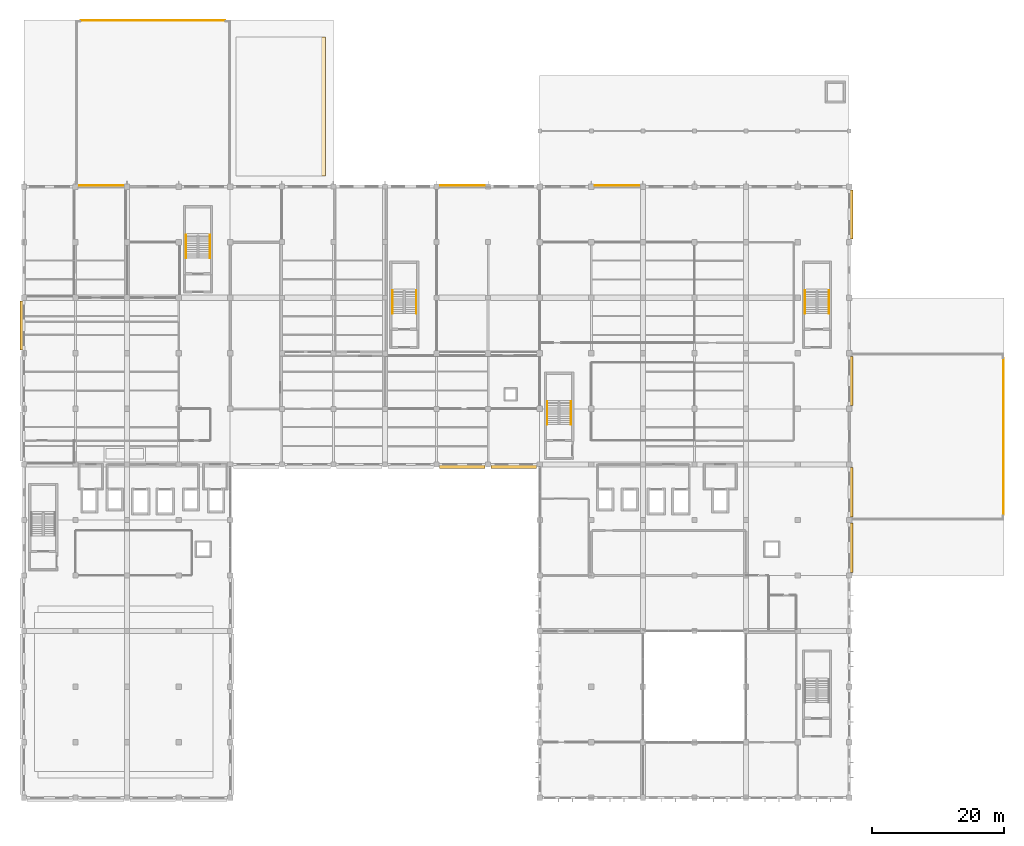
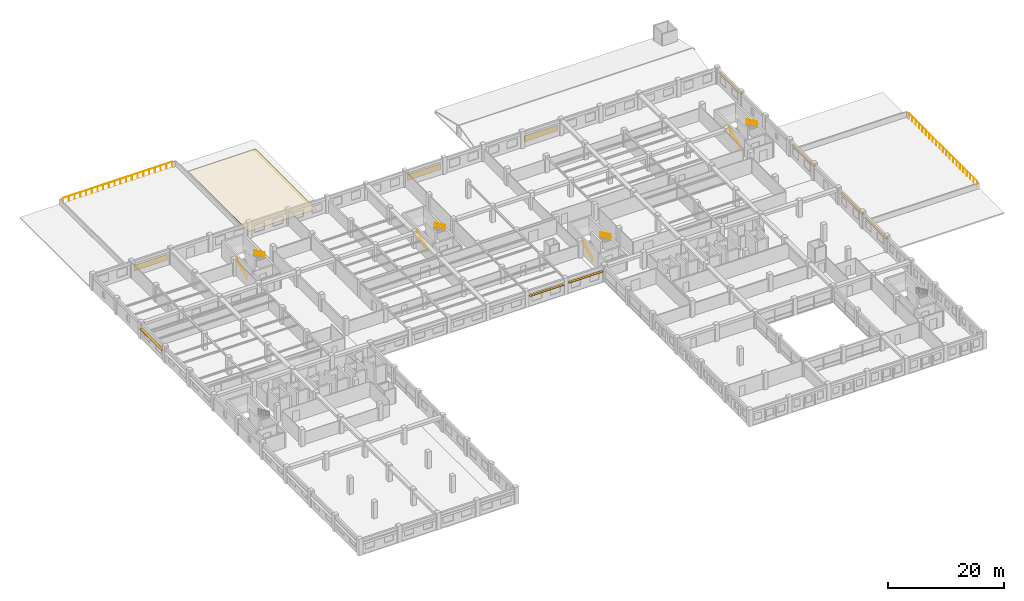
# One storey, part 50 of 50: 10 railings, 10 shading devices, 1 covering.
"""IFC4 building model written with IfcOpenShell, lengths in metres."""

import ifcopenshell
import ifcopenshell.guid

model = None  # the IFC model being written
_history = None  # IfcOwnerHistory: only IFC2X3 demands one
_inside = {}  # id of a spatial element -> (the spatial element, [elements in it])
_under = {}  # id of a project, library or spatial element -> (it, [spatial elements below it])
_declared = {}  # id of a project -> (the project, [libraries it declares])
_typed = {}  # id of a type object -> (the type object, [elements of that type])
_made_of = {}  # id of a material, layer set ... -> (it, [elements and type objects made of it])


def new_model(schema):
    """Start an empty IFC model of exactly this schema.

    Asked for "IFC4X3", IfcOpenShell would pick the latest addendum, in which some entities
    have other attributes; the version numbers below select the first issue.
    IFC2X3 requires an IfcOwnerHistory on every rooted entity: one is made here for all.
    """
    global model, _history
    if schema == "IFC4X3":
        model = ifcopenshell.file(schema_version=(4, 3, 0, 0))
    else:
        model = ifcopenshell.file(schema=schema)
    _inside.clear()
    _under.clear()
    _declared.clear()
    _typed.clear()
    _made_of.clear()
    _history = None
    if model.schema == "IFC2X3":
        org = make("IfcOrganization", Name="unknown")
        user = make(
            "IfcPersonAndOrganization",
            ThePerson=make("IfcPerson", FamilyName="unknown"),
            TheOrganization=org,
        )
        app = make(
            "IfcApplication",
            ApplicationDeveloper=org,
            Version="unknown",
            ApplicationFullName="unknown",
            ApplicationIdentifier="unknown",
        )
        _history = make(
            "IfcOwnerHistory",
            OwningUser=user,
            OwningApplication=app,
            ChangeAction="ADDED",
            CreationDate=0,
        )
    return model


def make(cls, **values):
    """One entity of the class cls with the attributes given. An attribute that is None is left unset."""
    return model.create_entity(
        cls, **{name: value for name, value in values.items() if value is not None}
    )


def rooted(cls, **values):
    """An entity with a GlobalId (a new one), such as an element, a storey or a relation."""
    return make(cls, GlobalId=ifcopenshell.guid.new(), OwnerHistory=_history, **values)


def si_unit(unit_type, name, prefix=None):
    """IfcSIUnit, for example si_unit("LENGTHUNIT", "METRE", prefix="MILLI")."""
    return make("IfcSIUnit", UnitType=unit_type, Prefix=prefix, Name=name)


def assignment(units):
    """IfcUnitAssignment: the units of a project."""
    return None if units is None else make("IfcUnitAssignment", Units=units)


def point(xyz):
    """IfcCartesianPoint."""
    return None if xyz is None else make("IfcCartesianPoint", Coordinates=xyz)


def direction(xyz):
    """IfcDirection."""
    return None if xyz is None else make("IfcDirection", DirectionRatios=xyz)


def frame(location, z_axis=None, x_axis=None):
    """IfcAxis2Placement3D, a coordinate frame: its origin and axes. An axis left out is left unset."""
    return make(
        "IfcAxis2Placement3D",
        Location=point(location),
        Axis=direction(z_axis),
        RefDirection=direction(x_axis),
    )


def frame_2d(location, x_axis=None):
    """IfcAxis2Placement2D, a coordinate frame in the plane: its origin and x axis."""
    return make(
        "IfcAxis2Placement2D", Location=point(location), RefDirection=direction(x_axis)
    )


def origin():
    """The frame at (0, 0, 0) with its axes left unset."""
    return frame((0.0, 0.0, 0.0))


def origin_2d():
    """The frame at (0, 0) in the plane with its x axis left unset."""
    return frame_2d((0.0, 0.0))


def place(relative_to, where):
    """IfcLocalPlacement: puts the frame where relative to a parent placement (None: the world)."""
    return make(
        "IfcLocalPlacement", PlacementRelTo=relative_to, RelativePlacement=where
    )


def context(
    kind, dimensions, precision=None, world=None, true_north=None, identifier=None
):
    """IfcGeometricRepresentationContext, for example the 3D "Model" context."""
    return make(
        "IfcGeometricRepresentationContext",
        ContextIdentifier=identifier,
        ContextType=kind,
        CoordinateSpaceDimension=dimensions,
        Precision=precision,
        WorldCoordinateSystem=world,
        TrueNorth=true_north,
    )


def subcontext(parent, identifier, kind, view, scale=None):
    """IfcGeometricRepresentationSubContext, for example "Body" below "Model"."""
    return make(
        "IfcGeometricRepresentationSubContext",
        ContextIdentifier=identifier,
        ContextType=kind,
        ParentContext=parent,
        TargetScale=scale,
        TargetView=view,
    )


def project(units=None, contexts=None):
    """IfcProject with its units and contexts."""
    return rooted(
        "IfcProject",
        Name="project",
        RepresentationContexts=contexts,
        UnitsInContext=assignment(units),
    )


def spatial(cls, under=None, at=None, **own):
    """A site, building, storey or space (cls), placed at a placement, below another one or the project."""
    s = rooted(cls, ObjectPlacement=at, **own)
    if under is not None:
        _under.setdefault(under.id(), (under, []))[1].append(s)
    return s


def polyline(points):
    """IfcPolyline through the points."""
    return make("IfcPolyline", Points=[point(p) for p in points])


def profile(cls, at=None, kind="AREA", **sizes):
    """A parametric profile (cls). Its sizes go by their IFC names, for example OverallWidth=200.0."""
    return make(cls, ProfileType=kind, Position=at, **sizes)


def rectangle(**sizes):
    """IfcRectangleProfileDef."""
    return profile("IfcRectangleProfileDef", **sizes)


def circle(**sizes):
    """IfcCircleProfileDef."""
    return profile("IfcCircleProfileDef", **sizes)


def outline(outer, holes=None, kind="AREA"):
    """IfcArbitraryClosedProfileDef: a profile drawn as a closed curve; with holes, ...WithVoids."""
    if holes is None:
        return make("IfcArbitraryClosedProfileDef", ProfileType=kind, OuterCurve=outer)
    return make(
        "IfcArbitraryProfileDefWithVoids",
        ProfileType=kind,
        OuterCurve=outer,
        InnerCurves=holes,
    )


def extrude(swept, where, along, depth):
    """IfcExtrudedAreaSolid: the profile swept, set in the frame where, extruded along a direction by depth."""
    return make(
        "IfcExtrudedAreaSolid",
        SweptArea=swept,
        Position=where,
        ExtrudedDirection=direction(along),
        Depth=depth,
    )


def shape(context_of_items, identifier, shape_type, items):
    """IfcShapeRepresentation: the items that make up one representation, for example the "Body"."""
    return make(
        "IfcShapeRepresentation",
        ContextOfItems=context_of_items,
        RepresentationIdentifier=identifier,
        RepresentationType=shape_type,
        Items=items,
    )


def material(Name=None, Category=None):
    """IfcMaterial."""
    return make("IfcMaterial", Name=Name, Category=Category)


def layer(
    of_material, thickness, ventilated=None, Name=None, Category=None, Priority=None
):
    """IfcMaterialLayer: one layer of a wall or slab, of a material (None: an air gap)."""
    return make(
        "IfcMaterialLayer",
        Material=of_material,
        LayerThickness=thickness,
        IsVentilated=ventilated,
        Name=Name,
        Category=Category,
        Priority=Priority,
    )


def layer_set(layers, Name=None):
    """IfcMaterialLayerSet."""
    return make("IfcMaterialLayerSet", MaterialLayers=layers, LayerSetName=Name)


def made_of(thing, what):
    """Note that an element or type object is made of a material, layer set ...; save() writes the relation."""
    if what is not None:
        _made_of.setdefault(what.id(), (what, []))[1].append(thing)
    return thing


def type_object(cls, material=None, **own):
    """A type object (cls), such as IfcWallType, which elements share."""
    return made_of(rooted(cls, **own), material)


def element(
    cls,
    number,
    at=None,
    inside=None,
    cuts=None,
    type_object=None,
    material=None,
    context=None,
    identifier="Body",
    shape_type=None,
    held_by="IfcProductDefinitionShape",
    body=None,
    shapes=None,
    **own,
):
    """One element of the class cls, such as IfcWall. Its Tag is "e" and its number.

    at: its placement. inside: the storey or other place that contains it. cuts: it is an
    opening in that element (IfcRelVoidsElement). A single representation is given by context,
    identifier, shape_type and body (its items); several are given by shapes. held_by: the class
    of the entity that holds the representations. save() writes the other relations.
    """
    e = rooted(cls, Tag="e%d" % number, ObjectPlacement=at, **own)
    if body is not None:
        shapes = [shape(context, identifier, shape_type, body)]
    if shapes is not None:
        e.Representation = make(held_by, Representations=shapes)
    if inside is not None:
        _inside.setdefault(inside.id(), (inside, []))[1].append(e)
    if cuts is not None:
        rooted(
            "IfcRelVoidsElement", RelatingBuildingElement=cuts, RelatedOpeningElement=e
        )
    if type_object is not None:
        _typed.setdefault(type_object.id(), (type_object, []))[1].append(e)
    return made_of(e, material)


def aggregate(whole, parts):
    """IfcRelAggregates: a whole, such as a stair, and the parts it consists of."""
    return rooted("IfcRelAggregates", RelatingObject=whole, RelatedObjects=parts)


def save(model, path):
    """Write the relations noted so far, then the file.

    IfcRelAggregates (storeys below a building ...), IfcRelContainedInSpatialStructure (elements
    in a storey), IfcRelDefinesByType, IfcRelAssociatesMaterial and IfcRelDeclares: one each for
    every whole, place, type object, material and project.
    """
    for whole, parts in _under.values():
        aggregate(whole, parts)
    for where, things in _inside.values():
        rooted(
            "IfcRelContainedInSpatialStructure",
            RelatedElements=things,
            RelatingStructure=where,
        )
    for kind, things in _typed.values():
        rooted("IfcRelDefinesByType", RelatedObjects=things, RelatingType=kind)
    for what, things in _made_of.values():
        rooted("IfcRelAssociatesMaterial", RelatedObjects=things, RelatingMaterial=what)
    for by, libraries in _declared.values():
        rooted("IfcRelDeclares", RelatingContext=by, RelatedDefinitions=libraries)
    model.write(path)


model = new_model("IFC4")

# Units and contexts
model_context = context("Model", 3, precision=1e-05, world=origin(), true_north=direction((0.0, 1.0)))
body_context = subcontext(model_context, "Body", "Model", "MODEL_VIEW")
ifc_project = project(units=[si_unit("LENGTHUNIT", "METRE"), si_unit("AREAUNIT", "SQUARE_METRE"), si_unit("VOLUMEUNIT", "CUBIC_METRE"), si_unit("PLANEANGLEUNIT", "RADIAN"), si_unit("MASSUNIT", "GRAM", prefix="KILO"), si_unit("THERMODYNAMICTEMPERATUREUNIT", "KELVIN"), si_unit("POWERUNIT", "WATT")], contexts=[model_context])

# Site, building, storey
site_placement = place(None, origin())
site = spatial("IfcSite", under=ifc_project, at=site_placement, CompositionType="ELEMENT")
building_placement = place(site_placement, origin())
building = spatial("IfcBuilding", under=site, at=building_placement, Name="Srebrne Nadtorze General Hospital", CompositionType="ELEMENT")
storey_placement = place(building_placement, frame((0.0, 0.0, 14.39990234375)))
storey = spatial("IfcBuildingStorey", under=building, at=storey_placement, Name="L03", CompositionType="ELEMENT", Elevation=14.39990234375)

# Shading devices
ifc_material_1 = material(Name="Anodised Aluminium", Category="aluminium")
ifc_layer_1 = layer(ifc_material_1, 0.080078125)
ifc_layer_set_1 = layer_set([ifc_layer_1], Name="Anodised Aluminium")
shading_device_type = type_object("IfcShadingDeviceType", Name="Hisashi horizontal aluminium sunshade", PredefinedType="JALOUSIE", material=ifc_layer_set_1)
shading_device_1_placement = place(storey_placement, frame((89.699951171875, 50.0400390625, 2.27001953125), z_axis=(0.0, 0.0, 1.0), x_axis=(1.0, 0.0, 0.0)))
element("IfcShadingDevice", 1, at=shading_device_1_placement, inside=storey, type_object=shading_device_type, Name="Hisashi horizontal sunshade eave LV-212", PredefinedType="JALOUSIE", context=body_context, shape_type="SweptSolid", body=[
    extrude(rectangle(XDim=6.889892578125, YDim=0.47998046875, at=origin_2d()), origin(), (0.0, 0.0, 1.0), 0.080078125),
])
shading_device_2_placement = place(storey_placement, frame((97.487548828125, 50.0400390625, 2.3701171875), z_axis=(0.0, 0.0, 1.0), x_axis=(1.0, 0.0, 0.0)))
element("IfcShadingDevice", 2, at=shading_device_2_placement, inside=storey, type_object=shading_device_type, Name="Hisashi horizontal sunshade eave LV-213", PredefinedType="JALOUSIE", context=body_context, shape_type="SweptSolid", body=[
    extrude(rectangle(XDim=6.864990234375, YDim=0.47998046875, at=origin_2d()), origin(), (0.0, 0.0, 1.0), 0.080078125),
])
shading_device_3_placement = place(storey_placement, frame((35.10009765625, 92.56005859375, 0.87109375), z_axis=(0.0, 0.0, 1.0), x_axis=(1.0, 0.0, 0.0)))
element("IfcShadingDevice", 3, at=shading_device_3_placement, inside=storey, type_object=shading_device_type, Name="Interstitial acoustic louvre LV-214", PredefinedType="JALOUSIE", context=body_context, shape_type="SweptSolid", body=[
    extrude(rectangle(XDim=6.699951171875, YDim=0.080078125, at=origin_2d()), origin(), (0.0, 0.0, 1.0), 1.25),
])
shading_device_4_placement = place(storey_placement, frame((89.699951171875, 92.570068359375, 0.87109375), z_axis=(0.0, 0.0, 1.0), x_axis=(1.0, 0.0, 0.0)))
element("IfcShadingDevice", 4, at=shading_device_4_placement, inside=storey, type_object=shading_device_type, Name="Interstitial acoustic louvre LV-215", PredefinedType="JALOUSIE", context=body_context, shape_type="SweptSolid", body=[
    extrude(rectangle(XDim=6.75, YDim=0.080078125, at=origin_2d()), origin(), (0.0, 0.0, 1.0), 1.25),
])
shading_device_5_placement = place(storey_placement, frame((113.10009765625, 92.56005859375, 0.87109375), z_axis=(0.0, 0.0, 1.0), x_axis=(1.0, 0.0, 0.0)))
element("IfcShadingDevice", 5, at=shading_device_5_placement, inside=storey, type_object=shading_device_type, Name="Interstitial acoustic louvre LV-216", PredefinedType="JALOUSIE", context=body_context, shape_type="SweptSolid", body=[
    extrude(rectangle(XDim=6.699951171875, YDim=0.080078125, at=origin_2d()), origin(), (0.0, 0.0, 1.0), 1.25),
])
for number, where, z_axis, x_axis, name in (
    (6, (23.050048828125, 71.39990234375, 2.27001953125), (0.0, 0.0, 1.0), (1.0, 0.0, 0.0), "Hisashi horizontal sunshade eave LV-223"),
    (7, (148.550048828125, 37.800048828125, 2.27001953125), (0.0, 0.0, 1.0), (1.0, 0.0, 0.0), "Hisashi horizontal sunshade eave LV-244"),
    (8, (148.550048828125, 46.199951171875, 2.3701171875), (0.0, 0.0, 1.0), (1.0, 0.0, 0.0), "Hisashi horizontal sunshade eave LV-245"),
    (9, (148.550048828125, 63.0, 2.3701171875), (0.0, 0.0, 1.0), (1.0, 0.0, 0.0), "Hisashi horizontal sunshade eave LV-246"),
    (10, (148.550048828125, 88.199951171875, 2.27001953125), (0.0, 0.0, 1.0), (1.0, 0.0, 0.0), "Hisashi horizontal sunshade eave LV-247"),
):
    element("IfcShadingDevice", number, at=place(storey_placement, frame(where, z_axis=z_axis, x_axis=x_axis)), inside=storey, type_object=shading_device_type, Name=name, PredefinedType="JALOUSIE", context=body_context, shape_type="SweptSolid", body=[
        extrude(rectangle(XDim=0.47998046875, YDim=7.43994140625, at=origin_2d()), origin(), (0.0, 0.0, 1.0), 0.080078125),
    ])

# Covering
ifc_material_2 = material(Name="EPDM Waterproofing Membrane")
ifc_layer_2 = layer(ifc_material_2, 0.011962890625)
ifc_layer_set_2 = layer_set([ifc_layer_2], Name="EPDM Waterproofing Membrane")
covering_type = type_object("IfcCoveringType", Name="Inverted EPDM waterproof roof membrane", PredefinedType="ROOFING", material=ifc_layer_set_2)
covering_placement = place(storey_placement, origin())
element("IfcCovering", 11, at=covering_placement, inside=storey, type_object=covering_type, Name="Roof membrane covering CV-ROOF-NW-1", PredefinedType="ROOFING", context=body_context, shape_type="SweptSolid", body=[
    extrude(outline(polyline([(55.5, 94.0), (69.0, 94.0), (69.0, 115.0), (55.5, 115.0), (55.5, 94.0)])), origin(), (0.0, 0.0, 1.0), 0.01220703125),
])

# Railings
ifc_material_3 = material(Name="Stainless Steel 316", Category="steel")
railing_type_1 = type_object("IfcRailingType", Name="Perimeter safety guard 1120", PredefinedType="BALUSTRADE", material=ifc_material_3)
railing_1_placement = place(storey_placement, frame((32.0, 117.5400390625, 0.0)))
element("IfcRailing", 12, at=railing_1_placement, inside=storey, type_object=railing_type_1, Name="Terrace safety guard GR-L03-001", PredefinedType="BALUSTRADE", context=body_context, shape_type="SweptSolid", body=[
    extrude(circle(Radius=0.02392578125, at=origin_2d()), frame((0.0, 0.0, 1.09619140625), z_axis=(1.0, 0.0, 0.0), x_axis=(0.0, 1.0, 0.0)), (0.0, 0.0, 1.0), 21.800048828125),
    extrude(circle(Radius=0.02099609375, at=origin_2d()), origin(), (0.0, 0.0, 1.0), 1.072021484375),
    extrude(circle(Radius=0.02099609375, at=origin_2d()), frame((1.1474609375, 0.0, 0.0)), (0.0, 0.0, 1.0), 1.072021484375),
    extrude(circle(Radius=0.02099609375, at=origin_2d()), frame((2.294677734375, 0.0, 0.0)), (0.0, 0.0, 1.0), 1.072021484375),
    extrude(circle(Radius=0.02099609375, at=origin_2d()), frame((3.442138671875, 0.0, 0.0)), (0.0, 0.0, 1.0), 1.072021484375),
    extrude(circle(Radius=0.02099609375, at=origin_2d()), frame((4.589599609375, 0.0, 0.0)), (0.0, 0.0, 1.0), 1.072021484375),
    extrude(circle(Radius=0.02099609375, at=origin_2d()), frame((5.73681640625, 0.0, 0.0)), (0.0, 0.0, 1.0), 1.072021484375),
    extrude(circle(Radius=0.02099609375, at=origin_2d()), frame((6.88427734375, 0.0, 0.0)), (0.0, 0.0, 1.0), 1.072021484375),
    extrude(circle(Radius=0.02099609375, at=origin_2d()), frame((8.031494140625, 0.0, 0.0)), (0.0, 0.0, 1.0), 1.072021484375),
    extrude(circle(Radius=0.02099609375, at=origin_2d()), frame((9.178955078125, 0.0, 0.0)), (0.0, 0.0, 1.0), 1.072021484375),
    extrude(circle(Radius=0.02099609375, at=origin_2d()), frame((10.326416015625, 0.0, 0.0)), (0.0, 0.0, 1.0), 1.072021484375),
    extrude(circle(Radius=0.02099609375, at=origin_2d()), frame((11.4736328125, 0.0, 0.0)), (0.0, 0.0, 1.0), 1.072021484375),
    extrude(circle(Radius=0.02099609375, at=origin_2d()), frame((12.62109375, 0.0, 0.0)), (0.0, 0.0, 1.0), 1.072021484375),
    extrude(circle(Radius=0.02099609375, at=origin_2d()), frame((13.7685546875, 0.0, 0.0)), (0.0, 0.0, 1.0), 1.072021484375),
    extrude(circle(Radius=0.02099609375, at=origin_2d()), frame((14.915771484375, 0.0, 0.0)), (0.0, 0.0, 1.0), 1.072021484375),
    extrude(circle(Radius=0.02099609375, at=origin_2d()), frame((16.063232421875, 0.0, 0.0)), (0.0, 0.0, 1.0), 1.072021484375),
    extrude(circle(Radius=0.02099609375, at=origin_2d()), frame((17.21044921875, 0.0, 0.0)), (0.0, 0.0, 1.0), 1.072021484375),
    extrude(circle(Radius=0.02099609375, at=origin_2d()), frame((18.35791015625, 0.0, 0.0)), (0.0, 0.0, 1.0), 1.072021484375),
    extrude(circle(Radius=0.02099609375, at=origin_2d()), frame((19.50537109375, 0.0, 0.0)), (0.0, 0.0, 1.0), 1.072021484375),
    extrude(circle(Radius=0.02099609375, at=origin_2d()), frame((20.652587890625, 0.0, 0.0)), (0.0, 0.0, 1.0), 1.072021484375),
    extrude(circle(Radius=0.02099609375, at=origin_2d()), frame((21.800048828125, 0.0, 0.0)), (0.0, 0.0, 1.0), 1.072021484375),
])
railing_2_placement = place(storey_placement, frame((171.5400390625, 42.800048828125, 0.0)))
element("IfcRailing", 13, at=railing_2_placement, inside=storey, type_object=railing_type_1, Name="Terrace safety guard GR-L03-002", PredefinedType="BALUSTRADE", context=body_context, shape_type="SweptSolid", body=[
    extrude(circle(Radius=0.02392578125, at=origin_2d()), frame((0.0, 0.0, 1.09619140625), z_axis=(0.0, 1.0, 0.0), x_axis=(-1.0, 0.0, 0.0)), (0.0, 0.0, 1.0), 23.599853515625),
    extrude(circle(Radius=0.02099609375, at=origin_2d()), origin(), (0.0, 0.0, 1.0), 1.072021484375),
    extrude(circle(Radius=0.02099609375, at=origin_2d()), frame((0.0, 1.179931640625, 0.0)), (0.0, 0.0, 1.0), 1.072021484375),
    extrude(circle(Radius=0.02099609375, at=origin_2d()), frame((0.0, 2.35986328125, 0.0)), (0.0, 0.0, 1.0), 1.072021484375),
    extrude(circle(Radius=0.02099609375, at=origin_2d()), frame((0.0, 3.5400390625, 0.0)), (0.0, 0.0, 1.0), 1.072021484375),
    extrude(circle(Radius=0.02099609375, at=origin_2d()), frame((0.0, 4.719970703125, 0.0)), (0.0, 0.0, 1.0), 1.072021484375),
    extrude(circle(Radius=0.02099609375, at=origin_2d()), frame((0.0, 5.89990234375, 0.0)), (0.0, 0.0, 1.0), 1.072021484375),
    extrude(circle(Radius=0.02099609375, at=origin_2d()), frame((0.0, 7.080078125, 0.0)), (0.0, 0.0, 1.0), 1.072021484375),
    extrude(circle(Radius=0.02099609375, at=origin_2d()), frame((0.0, 8.260009765625, 0.0)), (0.0, 0.0, 1.0), 1.072021484375),
    extrude(circle(Radius=0.02099609375, at=origin_2d()), frame((0.0, 9.43994140625, 0.0)), (0.0, 0.0, 1.0), 1.072021484375),
    extrude(circle(Radius=0.02099609375, at=origin_2d()), frame((0.0, 10.619873046875, 0.0)), (0.0, 0.0, 1.0), 1.072021484375),
    extrude(circle(Radius=0.02099609375, at=origin_2d()), frame((0.0, 11.7998046875, 0.0)), (0.0, 0.0, 1.0), 1.072021484375),
    extrude(circle(Radius=0.02099609375, at=origin_2d()), frame((0.0, 12.97998046875, 0.0)), (0.0, 0.0, 1.0), 1.072021484375),
    extrude(circle(Radius=0.02099609375, at=origin_2d()), frame((0.0, 14.159912109375, 0.0)), (0.0, 0.0, 1.0), 1.072021484375),
    extrude(circle(Radius=0.02099609375, at=origin_2d()), frame((0.0, 15.33984375, 0.0)), (0.0, 0.0, 1.0), 1.072021484375),
    extrude(circle(Radius=0.02099609375, at=origin_2d()), frame((0.0, 16.52001953125, 0.0)), (0.0, 0.0, 1.0), 1.072021484375),
    extrude(circle(Radius=0.02099609375, at=origin_2d()), frame((0.0, 17.699951171875, 0.0)), (0.0, 0.0, 1.0), 1.072021484375),
    extrude(circle(Radius=0.02099609375, at=origin_2d()), frame((0.0, 18.8798828125, 0.0)), (0.0, 0.0, 1.0), 1.072021484375),
    extrude(circle(Radius=0.02099609375, at=origin_2d()), frame((0.0, 20.059814453125, 0.0)), (0.0, 0.0, 1.0), 1.072021484375),
    extrude(circle(Radius=0.02099609375, at=origin_2d()), frame((0.0, 21.23974609375, 0.0)), (0.0, 0.0, 1.0), 1.072021484375),
    extrude(circle(Radius=0.02099609375, at=origin_2d()), frame((0.0, 22.419921875, 0.0)), (0.0, 0.0, 1.0), 1.072021484375),
    extrude(circle(Radius=0.02099609375, at=origin_2d()), frame((0.0, 23.599853515625, 0.0)), (0.0, 0.0, 1.0), 1.072021484375),
])
ifc_material_4 = material(Name="Stainless Steel 316", Category="steel")
railing_type_2 = type_object("IfcRailingType", Name="Tubular stainless handrail 920", PredefinedType="HANDRAIL", material=ifc_material_4)
railing_3_placement = place(storey_placement, frame((47.929931640625, 81.60009765625, 0.150146484375)))
element("IfcRailing", 14, at=railing_3_placement, inside=storey, type_object=railing_type_2, Name="Stair flight handrail ST-02-L03 F1", PredefinedType="HANDRAIL", context=body_context, shape_type="SweptSolid", body=[
    extrude(circle(Radius=0.02392578125, at=origin_2d()), frame((0.0, 0.0, 0.89599609375), z_axis=(0.0, 0.905469494748, 0.424411350084), x_axis=(-1.0, 0.0, 0.0)), (0.0, 0.0, 1.0), 3.887451171875),
    extrude(circle(Radius=0.02099609375, at=origin_2d()), origin(), (0.0, 0.0, 1.0), 0.871826171875),
    extrude(circle(Radius=0.02099609375, at=origin_2d()), frame((0.0, 0.8798828125, 0.41259765625)), (0.0, 0.0, 1.0), 0.871826171875),
    extrude(circle(Radius=0.02099609375, at=origin_2d()), frame((0.0, 1.760009765625, 0.824951171875)), (0.0, 0.0, 1.0), 0.871826171875),
    extrude(circle(Radius=0.02099609375, at=origin_2d()), frame((0.0, 2.64013671875, 1.2373046875)), (0.0, 0.0, 1.0), 0.871826171875),
    extrude(circle(Radius=0.02099609375, at=origin_2d()), frame((0.0, 3.52001953125, 1.64990234375)), (0.0, 0.0, 1.0), 0.871826171875),
])
railing_4_placement = place(storey_placement, frame((51.52001953125, 85.1201171875, 1.9501953125)))
element("IfcRailing", 15, at=railing_4_placement, inside=storey, type_object=railing_type_2, Name="Stair flight handrail ST-02-L03 F2", PredefinedType="HANDRAIL", context=body_context, shape_type="SweptSolid", body=[
    extrude(circle(Radius=0.02392578125, at=origin_2d()), frame((0.0, 0.0, 0.89599609375), z_axis=(0.0, -0.905469494748, 0.424411350084), x_axis=(1.0, 0.0, 0.0)), (0.0, 0.0, 1.0), 3.887451171875),
    extrude(circle(Radius=0.02099609375, at=origin_2d()), origin(), (0.0, 0.0, 1.0), 0.871826171875),
    extrude(circle(Radius=0.02099609375, at=origin_2d()), frame((0.0, -0.8798828125, 0.41259765625)), (0.0, 0.0, 1.0), 0.871826171875),
    extrude(circle(Radius=0.02099609375, at=origin_2d()), frame((0.0, -1.760009765625, 0.824951171875)), (0.0, 0.0, 1.0), 0.871826171875),
    extrude(circle(Radius=0.02099609375, at=origin_2d()), frame((0.0, -2.64013671875, 1.2373046875)), (0.0, 0.0, 1.0), 0.871826171875),
    extrude(circle(Radius=0.02099609375, at=origin_2d()), frame((0.0, -3.52001953125, 1.64990234375)), (0.0, 0.0, 1.0), 0.871826171875),
])
railing_5_placement = place(storey_placement, frame((102.530029296875, 56.39990234375, 0.150146484375)))
element("IfcRailing", 16, at=railing_5_placement, inside=storey, type_object=railing_type_2, Name="Stair flight handrail ST-03-L03 F1", PredefinedType="HANDRAIL", context=body_context, shape_type="SweptSolid", body=[
    extrude(circle(Radius=0.02392578125, at=origin_2d()), frame((0.0, 0.0, 0.89599609375), z_axis=(0.0, 0.905469494748, 0.424411350084), x_axis=(-1.0, 0.0, 0.0)), (0.0, 0.0, 1.0), 3.887451171875),
    extrude(circle(Radius=0.02099609375, at=origin_2d()), origin(), (0.0, 0.0, 1.0), 0.871826171875),
    extrude(circle(Radius=0.02099609375, at=origin_2d()), frame((0.0, 0.8798828125, 0.41259765625)), (0.0, 0.0, 1.0), 0.871826171875),
    extrude(circle(Radius=0.02099609375, at=origin_2d()), frame((0.0, 1.760009765625, 0.824951171875)), (0.0, 0.0, 1.0), 0.871826171875),
    extrude(circle(Radius=0.02099609375, at=origin_2d()), frame((0.0, 2.64013671875, 1.2373046875)), (0.0, 0.0, 1.0), 0.871826171875),
    extrude(circle(Radius=0.02099609375, at=origin_2d()), frame((0.0, 3.52001953125, 1.64990234375)), (0.0, 0.0, 1.0), 0.871826171875),
])
railing_6_placement = place(storey_placement, frame((106.1201171875, 59.919921875, 1.9501953125)))
element("IfcRailing", 17, at=railing_6_placement, inside=storey, type_object=railing_type_2, Name="Stair flight handrail ST-03-L03 F2", PredefinedType="HANDRAIL", context=body_context, shape_type="SweptSolid", body=[
    extrude(circle(Radius=0.02392578125, at=origin_2d()), frame((0.0, 0.0, 0.89599609375), z_axis=(0.0, -0.905469494748, 0.424411350084), x_axis=(1.0, 0.0, 0.0)), (0.0, 0.0, 1.0), 3.887451171875),
    extrude(circle(Radius=0.02099609375, at=origin_2d()), origin(), (0.0, 0.0, 1.0), 0.871826171875),
    extrude(circle(Radius=0.02099609375, at=origin_2d()), frame((0.0, -0.8798828125, 0.41259765625)), (0.0, 0.0, 1.0), 0.871826171875),
    extrude(circle(Radius=0.02099609375, at=origin_2d()), frame((0.0, -1.760009765625, 0.824951171875)), (0.0, 0.0, 1.0), 0.871826171875),
    extrude(circle(Radius=0.02099609375, at=origin_2d()), frame((0.0, -2.64013671875, 1.2373046875)), (0.0, 0.0, 1.0), 0.871826171875),
    extrude(circle(Radius=0.02099609375, at=origin_2d()), frame((0.0, -3.52001953125, 1.64990234375)), (0.0, 0.0, 1.0), 0.871826171875),
])
railing_7_placement = place(storey_placement, frame((141.530029296875, 73.199951171875, 0.150146484375)))
element("IfcRailing", 18, at=railing_7_placement, inside=storey, type_object=railing_type_2, Name="Stair flight handrail ST-04-L03 F1", PredefinedType="HANDRAIL", context=body_context, shape_type="SweptSolid", body=[
    extrude(circle(Radius=0.02392578125, at=origin_2d()), frame((0.0, 0.0, 0.89599609375), z_axis=(0.0, 0.905469494748, 0.424411350084), x_axis=(-1.0, 0.0, 0.0)), (0.0, 0.0, 1.0), 3.887451171875),
    extrude(circle(Radius=0.02099609375, at=origin_2d()), origin(), (0.0, 0.0, 1.0), 0.871826171875),
    extrude(circle(Radius=0.02099609375, at=origin_2d()), frame((0.0, 0.8798828125, 0.41259765625)), (0.0, 0.0, 1.0), 0.871826171875),
    extrude(circle(Radius=0.02099609375, at=origin_2d()), frame((0.0, 1.760009765625, 0.824951171875)), (0.0, 0.0, 1.0), 0.871826171875),
    extrude(circle(Radius=0.02099609375, at=origin_2d()), frame((0.0, 2.64013671875, 1.2373046875)), (0.0, 0.0, 1.0), 0.871826171875),
    extrude(circle(Radius=0.02099609375, at=origin_2d()), frame((0.0, 3.52001953125, 1.64990234375)), (0.0, 0.0, 1.0), 0.871826171875),
])
railing_8_placement = place(storey_placement, frame((145.1201171875, 76.719970703125, 1.9501953125)))
element("IfcRailing", 19, at=railing_8_placement, inside=storey, type_object=railing_type_2, Name="Stair flight handrail ST-04-L03 F2", PredefinedType="HANDRAIL", context=body_context, shape_type="SweptSolid", body=[
    extrude(circle(Radius=0.02392578125, at=origin_2d()), frame((0.0, 0.0, 0.89599609375), z_axis=(0.0, -0.905469494748, 0.424411350084), x_axis=(1.0, 0.0, 0.0)), (0.0, 0.0, 1.0), 3.887451171875),
    extrude(circle(Radius=0.02099609375, at=origin_2d()), origin(), (0.0, 0.0, 1.0), 0.871826171875),
    extrude(circle(Radius=0.02099609375, at=origin_2d()), frame((0.0, -0.8798828125, 0.41259765625)), (0.0, 0.0, 1.0), 0.871826171875),
    extrude(circle(Radius=0.02099609375, at=origin_2d()), frame((0.0, -1.760009765625, 0.824951171875)), (0.0, 0.0, 1.0), 0.871826171875),
    extrude(circle(Radius=0.02099609375, at=origin_2d()), frame((0.0, -2.64013671875, 1.2373046875)), (0.0, 0.0, 1.0), 0.871826171875),
    extrude(circle(Radius=0.02099609375, at=origin_2d()), frame((0.0, -3.52001953125, 1.64990234375)), (0.0, 0.0, 1.0), 0.871826171875),
])
railing_9_placement = place(storey_placement, frame((79.1298828125, 73.199951171875, 0.150146484375)))
element("IfcRailing", 20, at=railing_9_placement, inside=storey, type_object=railing_type_2, Name="Stair flight handrail ST-07-L03 F1", PredefinedType="HANDRAIL", context=body_context, shape_type="SweptSolid", body=[
    extrude(circle(Radius=0.02392578125, at=origin_2d()), frame((0.0, 0.0, 0.89599609375), z_axis=(0.0, 0.905469494748, 0.424411350084), x_axis=(-1.0, 0.0, 0.0)), (0.0, 0.0, 1.0), 3.887451171875),
    extrude(circle(Radius=0.02099609375, at=origin_2d()), origin(), (0.0, 0.0, 1.0), 0.871826171875),
    extrude(circle(Radius=0.02099609375, at=origin_2d()), frame((0.0, 0.8798828125, 0.41259765625)), (0.0, 0.0, 1.0), 0.871826171875),
    extrude(circle(Radius=0.02099609375, at=origin_2d()), frame((0.0, 1.760009765625, 0.824951171875)), (0.0, 0.0, 1.0), 0.871826171875),
    extrude(circle(Radius=0.02099609375, at=origin_2d()), frame((0.0, 2.64013671875, 1.2373046875)), (0.0, 0.0, 1.0), 0.871826171875),
    extrude(circle(Radius=0.02099609375, at=origin_2d()), frame((0.0, 3.52001953125, 1.64990234375)), (0.0, 0.0, 1.0), 0.871826171875),
])
railing_10_placement = place(storey_placement, frame((82.719970703125, 76.719970703125, 1.9501953125)))
element("IfcRailing", 21, at=railing_10_placement, inside=storey, type_object=railing_type_2, Name="Stair flight handrail ST-07-L03 F2", PredefinedType="HANDRAIL", context=body_context, shape_type="SweptSolid", body=[
    extrude(circle(Radius=0.02392578125, at=origin_2d()), frame((0.0, 0.0, 0.89599609375), z_axis=(0.0, -0.905469494748, 0.424411350084), x_axis=(1.0, 0.0, 0.0)), (0.0, 0.0, 1.0), 3.887451171875),
    extrude(circle(Radius=0.02099609375, at=origin_2d()), origin(), (0.0, 0.0, 1.0), 0.871826171875),
    extrude(circle(Radius=0.02099609375, at=origin_2d()), frame((0.0, -0.8798828125, 0.41259765625)), (0.0, 0.0, 1.0), 0.871826171875),
    extrude(circle(Radius=0.02099609375, at=origin_2d()), frame((0.0, -1.760009765625, 0.824951171875)), (0.0, 0.0, 1.0), 0.871826171875),
    extrude(circle(Radius=0.02099609375, at=origin_2d()), frame((0.0, -2.64013671875, 1.2373046875)), (0.0, 0.0, 1.0), 0.871826171875),
    extrude(circle(Radius=0.02099609375, at=origin_2d()), frame((0.0, -3.52001953125, 1.64990234375)), (0.0, 0.0, 1.0), 0.871826171875),
])

save(model, "model.ifc")
